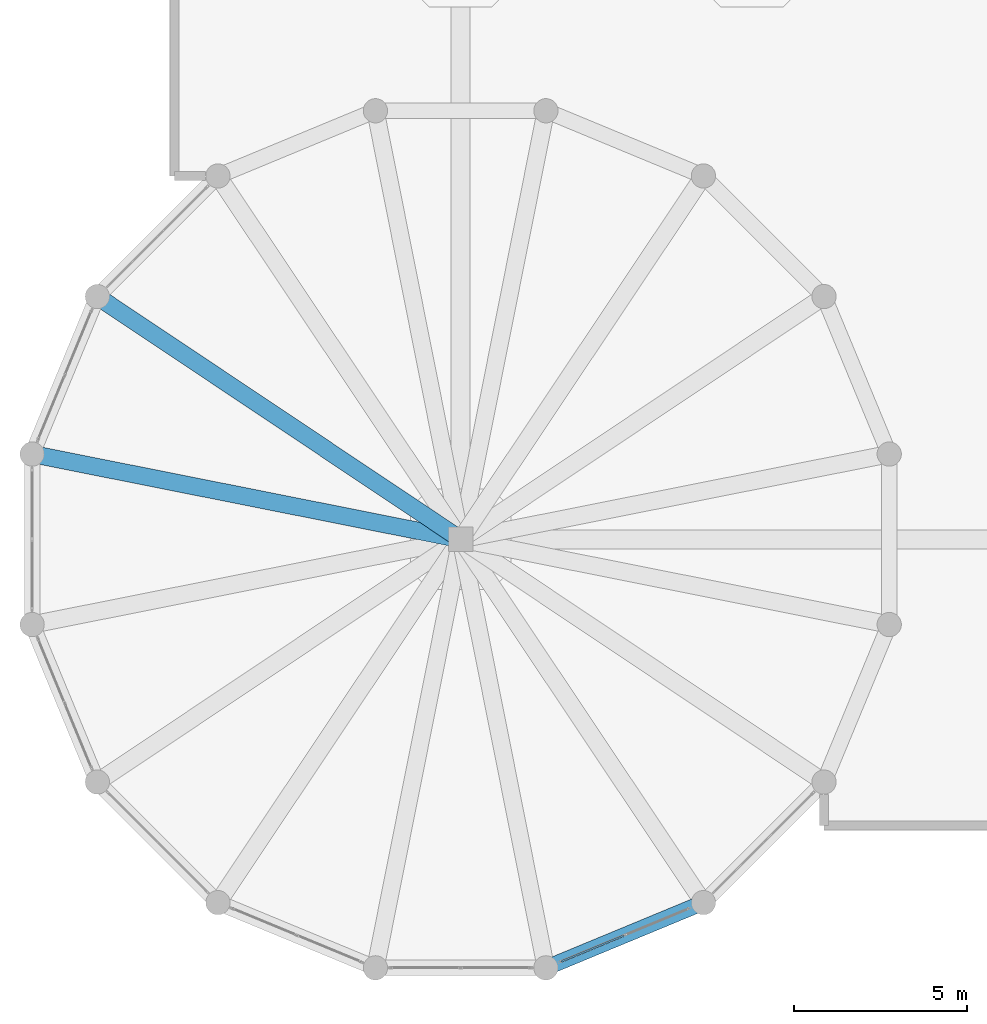
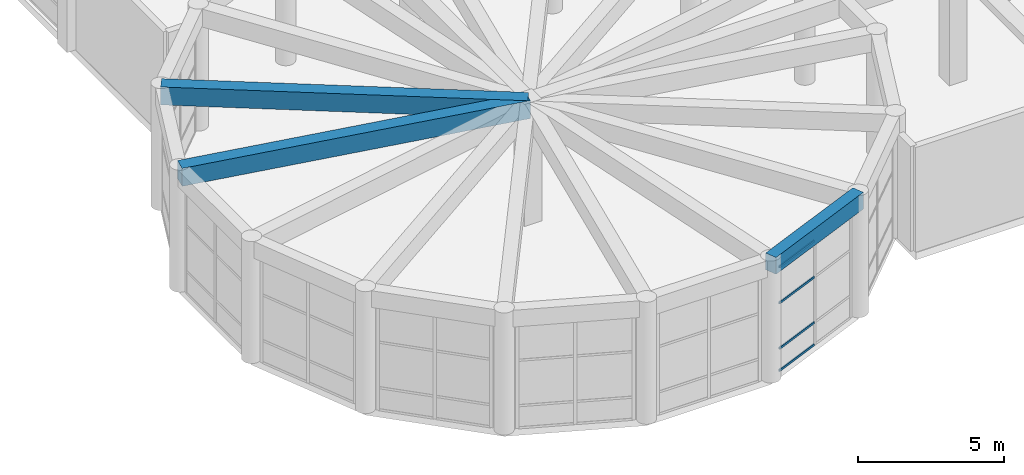
# One storey, part 10 of 95: 4 members, 3 beams, 1 element without a shape of its own.
"""IFC4 building model written with IfcOpenShell, lengths in metres."""

import ifcopenshell
import ifcopenshell.guid

model = None  # the IFC model being written
_history = None  # IfcOwnerHistory: only IFC2X3 demands one
_inside = {}  # id of a spatial element -> (the spatial element, [elements in it])
_under = {}  # id of a project, library or spatial element -> (it, [spatial elements below it])
_declared = {}  # id of a project -> (the project, [libraries it declares])
_typed = {}  # id of a type object -> (the type object, [elements of that type])
_made_of = {}  # id of a material, layer set ... -> (it, [elements and type objects made of it])


def new_model(schema):
    """Start an empty IFC model of exactly this schema.

    Asked for "IFC4X3", IfcOpenShell would pick the latest addendum, in which some entities
    have other attributes; the version numbers below select the first issue.
    IFC2X3 requires an IfcOwnerHistory on every rooted entity: one is made here for all.
    """
    global model, _history
    if schema == "IFC4X3":
        model = ifcopenshell.file(schema_version=(4, 3, 0, 0))
    else:
        model = ifcopenshell.file(schema=schema)
    _inside.clear()
    _under.clear()
    _declared.clear()
    _typed.clear()
    _made_of.clear()
    _history = None
    if model.schema == "IFC2X3":
        org = make("IfcOrganization", Name="unknown")
        user = make(
            "IfcPersonAndOrganization",
            ThePerson=make("IfcPerson", FamilyName="unknown"),
            TheOrganization=org,
        )
        app = make(
            "IfcApplication",
            ApplicationDeveloper=org,
            Version="unknown",
            ApplicationFullName="unknown",
            ApplicationIdentifier="unknown",
        )
        _history = make(
            "IfcOwnerHistory",
            OwningUser=user,
            OwningApplication=app,
            ChangeAction="ADDED",
            CreationDate=0,
        )
    return model


def make(cls, **values):
    """One entity of the class cls with the attributes given. An attribute that is None is left unset."""
    return model.create_entity(
        cls, **{name: value for name, value in values.items() if value is not None}
    )


def rooted(cls, **values):
    """An entity with a GlobalId (a new one), such as an element, a storey or a relation."""
    return make(cls, GlobalId=ifcopenshell.guid.new(), OwnerHistory=_history, **values)


def si_unit(unit_type, name, prefix=None):
    """IfcSIUnit, for example si_unit("LENGTHUNIT", "METRE", prefix="MILLI")."""
    return make("IfcSIUnit", UnitType=unit_type, Prefix=prefix, Name=name)


def assignment(units):
    """IfcUnitAssignment: the units of a project."""
    return None if units is None else make("IfcUnitAssignment", Units=units)


def point(xyz):
    """IfcCartesianPoint."""
    return None if xyz is None else make("IfcCartesianPoint", Coordinates=xyz)


def direction(xyz):
    """IfcDirection."""
    return None if xyz is None else make("IfcDirection", DirectionRatios=xyz)


def frame(location, z_axis=None, x_axis=None):
    """IfcAxis2Placement3D, a coordinate frame: its origin and axes. An axis left out is left unset."""
    return make(
        "IfcAxis2Placement3D",
        Location=point(location),
        Axis=direction(z_axis),
        RefDirection=direction(x_axis),
    )


def frame_2d(location, x_axis=None):
    """IfcAxis2Placement2D, a coordinate frame in the plane: its origin and x axis."""
    return make(
        "IfcAxis2Placement2D", Location=point(location), RefDirection=direction(x_axis)
    )


def origin():
    """The frame at (0, 0, 0) with its axes left unset."""
    return frame((0.0, 0.0, 0.0))


def origin_2d():
    """The frame at (0, 0) in the plane with its x axis left unset."""
    return frame_2d((0.0, 0.0))


def place(relative_to, where):
    """IfcLocalPlacement: puts the frame where relative to a parent placement (None: the world)."""
    return make(
        "IfcLocalPlacement", PlacementRelTo=relative_to, RelativePlacement=where
    )


def context(
    kind, dimensions, precision=None, world=None, true_north=None, identifier=None
):
    """IfcGeometricRepresentationContext, for example the 3D "Model" context."""
    return make(
        "IfcGeometricRepresentationContext",
        ContextIdentifier=identifier,
        ContextType=kind,
        CoordinateSpaceDimension=dimensions,
        Precision=precision,
        WorldCoordinateSystem=world,
        TrueNorth=true_north,
    )


def subcontext(parent, identifier, kind, view, scale=None):
    """IfcGeometricRepresentationSubContext, for example "Body" below "Model"."""
    return make(
        "IfcGeometricRepresentationSubContext",
        ContextIdentifier=identifier,
        ContextType=kind,
        ParentContext=parent,
        TargetScale=scale,
        TargetView=view,
    )


def project(units=None, contexts=None):
    """IfcProject with its units and contexts."""
    return rooted(
        "IfcProject",
        Name="project",
        RepresentationContexts=contexts,
        UnitsInContext=assignment(units),
    )


def spatial(cls, under=None, at=None, **own):
    """A site, building, storey or space (cls), placed at a placement, below another one or the project."""
    s = rooted(cls, ObjectPlacement=at, **own)
    if under is not None:
        _under.setdefault(under.id(), (under, []))[1].append(s)
    return s


def profile(cls, at=None, kind="AREA", **sizes):
    """A parametric profile (cls). Its sizes go by their IFC names, for example OverallWidth=200.0."""
    return make(cls, ProfileType=kind, Position=at, **sizes)


def rectangle(**sizes):
    """IfcRectangleProfileDef."""
    return profile("IfcRectangleProfileDef", **sizes)


def hollow_rectangle(**sizes):
    """IfcRectangleHollowProfileDef."""
    return profile("IfcRectangleHollowProfileDef", **sizes)


def extrude(swept, where, along, depth):
    """IfcExtrudedAreaSolid: the profile swept, set in the frame where, extruded along a direction by depth."""
    return make(
        "IfcExtrudedAreaSolid",
        SweptArea=swept,
        Position=where,
        ExtrudedDirection=direction(along),
        Depth=depth,
    )


def shape(context_of_items, identifier, shape_type, items):
    """IfcShapeRepresentation: the items that make up one representation, for example the "Body"."""
    return make(
        "IfcShapeRepresentation",
        ContextOfItems=context_of_items,
        RepresentationIdentifier=identifier,
        RepresentationType=shape_type,
        Items=items,
    )


def material(Name=None, Category=None):
    """IfcMaterial."""
    return make("IfcMaterial", Name=Name, Category=Category)


def material_profile(
    of_material, cross_section, Name=None, Category=None, Priority=None
):
    """IfcMaterialProfile: a cross section and its material."""
    return make(
        "IfcMaterialProfile",
        Name=Name,
        Material=of_material,
        Profile=cross_section,
        Priority=Priority,
        Category=Category,
    )


def profile_set(profiles, Name=None, composite=None):
    """IfcMaterialProfileSet."""
    return make(
        "IfcMaterialProfileSet",
        Name=Name,
        MaterialProfiles=profiles,
        CompositeProfile=composite,
    )


def made_of(thing, what):
    """Note that an element or type object is made of a material, layer set ...; save() writes the relation."""
    if what is not None:
        _made_of.setdefault(what.id(), (what, []))[1].append(thing)
    return thing


def type_object(cls, material=None, **own):
    """A type object (cls), such as IfcWallType, which elements share."""
    return made_of(rooted(cls, **own), material)


def element(
    cls,
    number,
    at=None,
    inside=None,
    cuts=None,
    type_object=None,
    material=None,
    context=None,
    identifier="Body",
    shape_type=None,
    held_by="IfcProductDefinitionShape",
    body=None,
    shapes=None,
    **own,
):
    """One element of the class cls, such as IfcWall. Its Tag is "e" and its number.

    at: its placement. inside: the storey or other place that contains it. cuts: it is an
    opening in that element (IfcRelVoidsElement). A single representation is given by context,
    identifier, shape_type and body (its items); several are given by shapes. held_by: the class
    of the entity that holds the representations. save() writes the other relations.
    """
    e = rooted(cls, Tag="e%d" % number, ObjectPlacement=at, **own)
    if body is not None:
        shapes = [shape(context, identifier, shape_type, body)]
    if shapes is not None:
        e.Representation = make(held_by, Representations=shapes)
    if inside is not None:
        _inside.setdefault(inside.id(), (inside, []))[1].append(e)
    if cuts is not None:
        rooted(
            "IfcRelVoidsElement", RelatingBuildingElement=cuts, RelatedOpeningElement=e
        )
    if type_object is not None:
        _typed.setdefault(type_object.id(), (type_object, []))[1].append(e)
    return made_of(e, material)


def aggregate(whole, parts):
    """IfcRelAggregates: a whole, such as a stair, and the parts it consists of."""
    return rooted("IfcRelAggregates", RelatingObject=whole, RelatedObjects=parts)


def save(model, path):
    """Write the relations noted so far, then the file.

    IfcRelAggregates (storeys below a building ...), IfcRelContainedInSpatialStructure (elements
    in a storey), IfcRelDefinesByType, IfcRelAssociatesMaterial and IfcRelDeclares: one each for
    every whole, place, type object, material and project.
    """
    for whole, parts in _under.values():
        aggregate(whole, parts)
    for where, things in _inside.values():
        rooted(
            "IfcRelContainedInSpatialStructure",
            RelatedElements=things,
            RelatingStructure=where,
        )
    for kind, things in _typed.values():
        rooted("IfcRelDefinesByType", RelatedObjects=things, RelatingType=kind)
    for what, things in _made_of.values():
        rooted("IfcRelAssociatesMaterial", RelatedObjects=things, RelatingMaterial=what)
    for by, libraries in _declared.values():
        rooted("IfcRelDeclares", RelatingContext=by, RelatedDefinitions=libraries)
    model.write(path)


model = new_model("IFC4")

# Units and contexts
model_context = context("Model", 3, precision=1e-05, world=origin(), true_north=direction((0.0, 1.0)))
body_context = subcontext(model_context, "Body", "Model", "MODEL_VIEW")
ifc_project = project(units=[si_unit("LENGTHUNIT", "METRE"), si_unit("AREAUNIT", "SQUARE_METRE"), si_unit("VOLUMEUNIT", "CUBIC_METRE"), si_unit("PLANEANGLEUNIT", "RADIAN"), si_unit("MASSUNIT", "GRAM", prefix="KILO")], contexts=[model_context])

# Site, building, storey
site_placement = place(None, origin())
site = spatial("IfcSite", under=ifc_project, at=site_placement, CompositionType="ELEMENT")
building_placement = place(site_placement, origin())
building = spatial("IfcBuilding", under=site, at=building_placement, Name="Almacenes y Pasaje Nevantli", CompositionType="ELEMENT")
storey_placement = place(building_placement, frame((0.0, 0.0, 11.39990234375)))
storey = spatial("IfcBuildingStorey", under=building, at=storey_placement, Name="L03", CompositionType="ELEMENT", Elevation=11.39990234375)

# Beams
ifc_material_1 = material(Name="Concrete C35/45", Category="concrete")
ifc_material_profile_1 = material_profile(ifc_material_1, rectangle(XDim=0.449951171875, YDim=0.699951171875, at=origin_2d()), Name="RC-BM-450x700")
ifc_profile_set_1 = profile_set([ifc_material_profile_1], Name="Concrete C35/45")
beam_type_1 = type_object("IfcBeamType", Name="BM-RC-450x700", PredefinedType="SPANDREL", material=ifc_profile_set_1)
beam_1_placement = place(storey_placement, frame((10.858154296875, -3.9580078125, 4.75), z_axis=(0.923862485532, 0.38272458482, 0.0), x_axis=(-0.38272458482, 0.923862485532, 0.0)))
element("IfcBeam", 1, at=beam_1_placement, inside=storey, type_object=beam_type_1, Name="L03 Rotunda Ring Spandrel Beam #13", PredefinedType="SPANDREL", context=body_context, shape_type="SweptSolid", body=[
    extrude(rectangle(XDim=0.449951171875, YDim=0.699951171875, at=origin_2d()), origin(), (0.0, 0.0, 1.0), 4.916259765625),
])
ifc_material_2 = material(Name="Concrete C35/45", Category="concrete")
ifc_material_profile_2 = material_profile(ifc_material_2, rectangle(XDim=0.5, YDim=0.75, at=origin_2d()), Name="RC-BM-500x750")
ifc_profile_set_2 = profile_set([ifc_material_profile_2], Name="Concrete C35/45")
beam_type_2 = type_object("IfcBeamType", Name="BM-RC-500x750", PredefinedType="BEAM", material=ifc_profile_set_2)
beam_2_placement = place(storey_placement, frame((8.39990234375, 8.39990234375, 4.72509765625), z_axis=(-0.831462572755, 0.555580768302, 0.0), x_axis=(-0.555580768302, -0.831462572755, 0.0)))
element("IfcBeam", 2, at=beam_2_placement, inside=storey, type_object=beam_type_2, Name="L03 Rotunda Radial Girder #7", PredefinedType="BEAM", context=body_context, shape_type="SweptSolid", body=[
    extrude(rectangle(XDim=0.5, YDim=0.75, at=origin_2d()), origin(), (0.0, 0.0, 1.0), 12.599853515625),
])
beam_3_placement = place(storey_placement, frame((8.39990234375, 8.39990234375, 4.72509765625), z_axis=(-0.980783597961, 0.195098780036, 0.0), x_axis=(-0.195098780036, -0.980783597961, 0.0)))
element("IfcBeam", 3, at=beam_3_placement, inside=storey, type_object=beam_type_2, Name="L03 Rotunda Radial Girder #8", PredefinedType="BEAM", context=body_context, shape_type="SweptSolid", body=[
    extrude(rectangle(XDim=0.5, YDim=0.75, at=origin_2d()), origin(), (0.0, 0.0, 1.0), 12.60009765625),
])

# Curtain wall, members
ifc_material_3 = material(Name="Thermally Broken Aluminium and Low-E Glass", Category="aluminium")
curtain_wall_type = type_object("IfcCurtainWallType", Name="CW-UNIT-ROTUNDA", PredefinedType="USERDEFINED", material=ifc_material_3)
curtain_wall_placement = place(storey_placement, origin())
curtain_wall = element("IfcCurtainWall", 4, at=curtain_wall_placement, inside=storey, type_object=curtain_wall_type, Name="L03 Corner Rotunda Faceted Curtain Wall Facet #13", ObjectType="UNITIZED CURTAIN WALL", PredefinedType="USERDEFINED")
ifc_material_4 = material(Name="Thermally Broken Anodized Aluminium", Category="aluminium")
ifc_material_profile_3 = material_profile(ifc_material_4, hollow_rectangle(XDim=0.050048828125, YDim=0.090087890625, WallThickness=0.0029296875, at=origin_2d()), Name="ALU-TRN-50x90")
ifc_profile_set_3 = profile_set([ifc_material_profile_3], Name="Thermally Broken Anodized Aluminium")
member_type = type_object("IfcMemberType", Name="CW-TRN-100", PredefinedType="USERDEFINED", material=ifc_profile_set_3)
member_1_placement = place(storey_placement, frame((11.29248046875, -3.778076171875, 0.025146484375), z_axis=(0.923887998679, 0.382662992588, 0.0), x_axis=(-0.382662992588, 0.923887998679, 0.0)))
member_1 = element("IfcMember", 5, at=member_1_placement, type_object=member_type, Name="CW-L03-065 transom 1.1", ObjectType="TRANSOM", PredefinedType="USERDEFINED", context=body_context, shape_type="SweptSolid", body=[
    extrude(hollow_rectangle(XDim=0.050048828125, YDim=0.090087890625, WallThickness=0.0029296875, at=origin_2d()), origin(), (0.0, 0.0, 1.0), 1.963134765625),
])
member_2_placement = place(storey_placement, frame((11.29248046875, -3.778076171875, 0.9501953125), z_axis=(0.923887998679, 0.382662992588, 0.0), x_axis=(-0.382662992588, 0.923887998679, 0.0)))
member_2 = element("IfcMember", 6, at=member_2_placement, type_object=member_type, Name="CW-L03-065 transom 1.2", ObjectType="TRANSOM", PredefinedType="USERDEFINED", context=body_context, shape_type="SweptSolid", body=[
    extrude(hollow_rectangle(XDim=0.050048828125, YDim=0.090087890625, WallThickness=0.0029296875, at=origin_2d()), origin(), (0.0, 0.0, 1.0), 1.963134765625),
])
member_3_placement = place(storey_placement, frame((11.29248046875, -3.778076171875, 2.85009765625), z_axis=(0.923887998679, 0.382662992588, 0.0), x_axis=(-0.382662992588, 0.923887998679, 0.0)))
member_3 = element("IfcMember", 7, at=member_3_placement, type_object=member_type, Name="CW-L03-065 transom 1.3", ObjectType="TRANSOM", PredefinedType="USERDEFINED", context=body_context, shape_type="SweptSolid", body=[
    extrude(hollow_rectangle(XDim=0.050048828125, YDim=0.090087890625, WallThickness=0.0029296875, at=origin_2d()), origin(), (0.0, 0.0, 1.0), 1.963134765625),
])
member_4_placement = place(storey_placement, frame((11.29248046875, -3.778076171875, 4.35498046875), z_axis=(0.923887998679, 0.382662992588, 0.0), x_axis=(-0.382662992588, 0.923887998679, 0.0)))
member_4 = element("IfcMember", 8, at=member_4_placement, type_object=member_type, Name="CW-L03-065 transom 1.4", ObjectType="TRANSOM", PredefinedType="USERDEFINED", context=body_context, shape_type="SweptSolid", body=[
    extrude(hollow_rectangle(XDim=0.050048828125, YDim=0.090087890625, WallThickness=0.0029296875, at=origin_2d()), origin(), (0.0, 0.0, 1.0), 1.963134765625),
])
aggregate(curtain_wall, [member_1, member_2, member_3, member_4])

save(model, "model.ifc")
